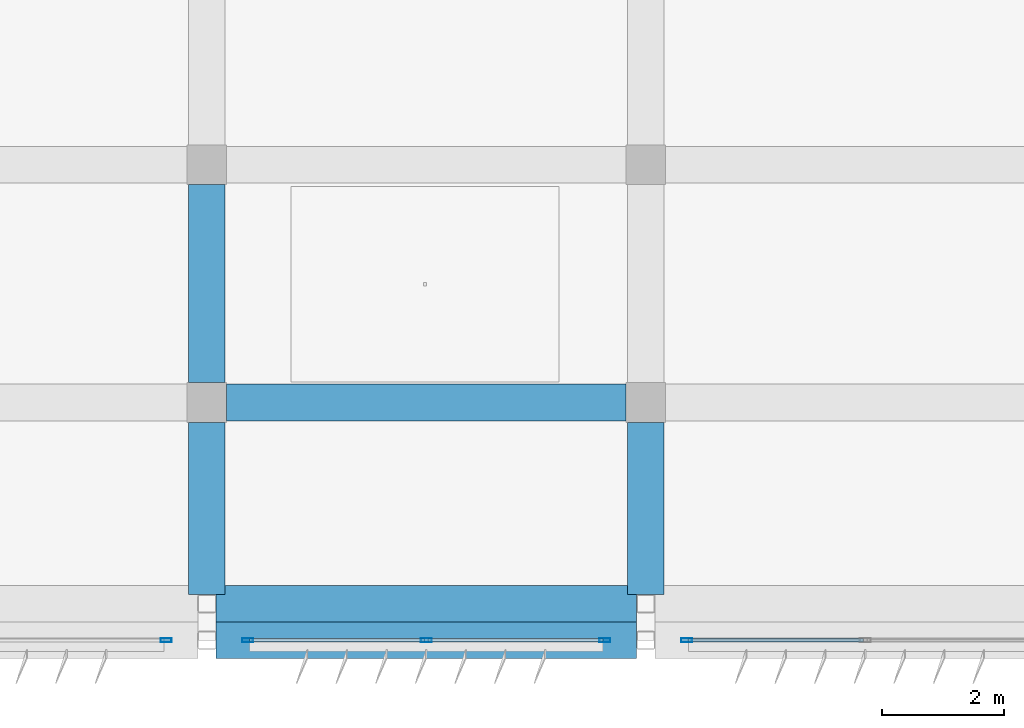
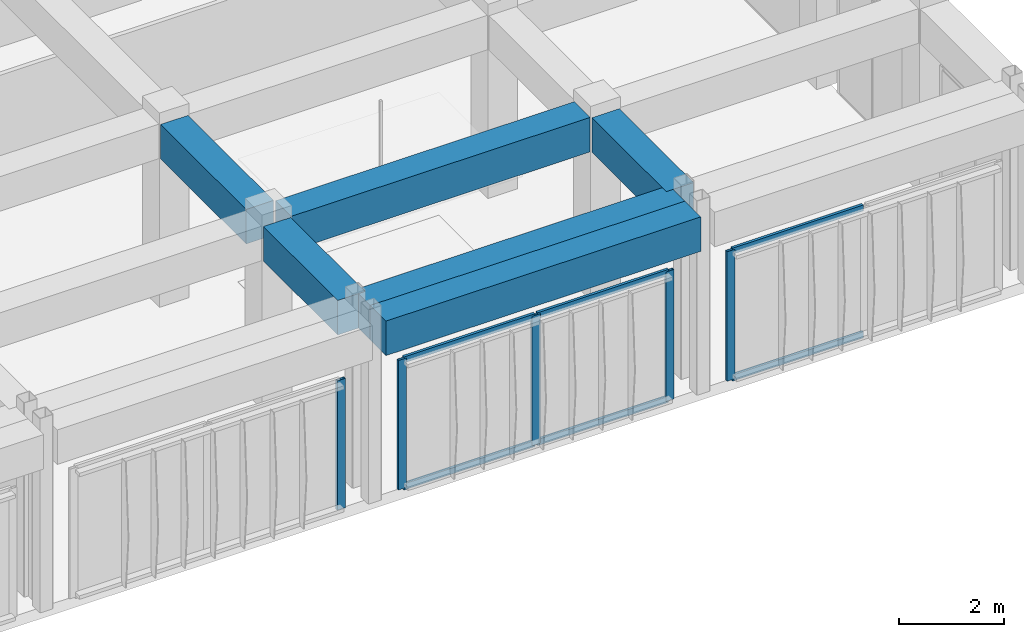
# One storey, part 21 of 56: 11 members, 6 beams, 3 elements without a shape of their own.
"""IFC4 building model written with IfcOpenShell, lengths in metres."""

from ifc_helpers import new_model, si_unit, direction, frame, origin, origin_2d, place, context, subcontext, project, spatial, rectangle, hollow_rectangle, extrude, material, material_profile, profile_set, type_object, element, aggregate, save


model = new_model("IFC4")

# Units and contexts
model_context = context("Model", 3, precision=1e-05, world=origin(), true_north=direction((0.0, 1.0)))
body_context = subcontext(model_context, "Body", "Model", "MODEL_VIEW")
ifc_project = project(units=[si_unit("LENGTHUNIT", "METRE"), si_unit("AREAUNIT", "SQUARE_METRE"), si_unit("VOLUMEUNIT", "CUBIC_METRE"), si_unit("PLANEANGLEUNIT", "RADIAN"), si_unit("MASSUNIT", "GRAM", prefix="KILO")], contexts=[model_context])

# Site, building, storey
site_placement = place(None, origin())
site = spatial("IfcSite", under=ifc_project, at=site_placement, CompositionType="ELEMENT")
building_placement = place(site_placement, origin())
building = spatial("IfcBuilding", under=site, at=building_placement, Name="Kazehaya Institute of Natural Sciences", CompositionType="ELEMENT")
storey_placement = place(building_placement, frame((0.0, 0.0, 28.800048828125)))
storey = spatial("IfcBuildingStorey", under=building, at=storey_placement, Name="L06", CompositionType="ELEMENT", Elevation=28.800048828125)

# Beams
ifc_material_1 = material(Name="Concrete Fc36", Category="concrete")
ifc_material_profile_1 = material_profile(ifc_material_1, rectangle(XDim=0.60009765625, YDim=0.800048828125, at=origin_2d()), Name="RC-600x800")
ifc_profile_set_1 = profile_set([ifc_material_profile_1], Name="Concrete Fc36")
beam_type = type_object("IfcBeamType", Name="BM-G-600x800", PredefinedType="BEAM", material=ifc_profile_set_1)
for number, where, z_axis, x_axis, name in (
    (1, (105.14990234375, 6.199951171875, 3.829833984375), (1.0, 0.0, 0.0), (0.0, 1.0, 0.0), "L06 primary X girder BMX-L06-1050-62"),
    (2, (105.14990234375, 6.800048828125, 3.829833984375), (1.0, 0.0, 0.0), (0.0, 1.0, 0.0), "L06 primary X girder BMX-L06-1050-68"),
):
    element("IfcBeam", number, at=place(storey_placement, frame(where, z_axis=z_axis, x_axis=x_axis)), inside=storey, type_object=beam_type, Name=name, PredefinedType="BEAM", context=body_context, shape_type="SweptSolid", body=[
        extrude(rectangle(XDim=0.60009765625, YDim=0.800048828125, at=origin_2d()), origin(), (0.0, 0.0, 1.0), 6.900146484375),
    ])
beam_1_placement = place(storey_placement, frame((105.324951171875, 10.10009765625, 3.829833984375), z_axis=(1.0, 0.0, 0.0), x_axis=(0.0, 1.0, 0.0)))
element("IfcBeam", 3, at=beam_1_placement, inside=storey, type_object=beam_type, Name="L06 primary X girder BMX-L06-1050-101", PredefinedType="BEAM", context=body_context, shape_type="SweptSolid", body=[
    extrude(rectangle(XDim=0.60009765625, YDim=0.800048828125, at=origin_2d()), origin(), (0.0, 0.0, 1.0), 6.550048828125),
])
beam_2_placement = place(storey_placement, frame((105.0, 6.949951171875, 3.829833984375), z_axis=(0.0, 1.0, 0.0), x_axis=(-1.0, 0.0, 0.0)))
element("IfcBeam", 4, at=beam_2_placement, inside=storey, type_object=beam_type, Name="L06 primary Y girder BMY-L06-1050-68", PredefinedType="BEAM", context=body_context, shape_type="SweptSolid", body=[
    extrude(rectangle(XDim=0.60009765625, YDim=0.800048828125, at=origin_2d()), origin(), (0.0, 0.0, 1.0), 2.824951171875),
])
beam_3_placement = place(storey_placement, frame((105.0, 10.425048828125, 3.829833984375), z_axis=(0.0, 1.0, 0.0), x_axis=(-1.0, 0.0, 0.0)))
element("IfcBeam", 5, at=beam_3_placement, inside=storey, type_object=beam_type, Name="L06 primary Y girder BMY-L06-1050-101", PredefinedType="BEAM", context=body_context, shape_type="SweptSolid", body=[
    extrude(rectangle(XDim=0.60009765625, YDim=0.800048828125, at=origin_2d()), origin(), (0.0, 0.0, 1.0), 3.25),
])
beam_4_placement = place(storey_placement, frame((112.199951171875, 6.949951171875, 3.829833984375), z_axis=(0.0, 1.0, 0.0), x_axis=(-1.0, 0.0, 0.0)))
element("IfcBeam", 6, at=beam_4_placement, inside=storey, type_object=beam_type, Name="L06 primary Y girder BMY-L06-1122-68", PredefinedType="BEAM", context=body_context, shape_type="SweptSolid", body=[
    extrude(rectangle(XDim=0.60009765625, YDim=0.800048828125, at=origin_2d()), origin(), (0.0, 0.0, 1.0), 2.824951171875),
])

# Curtain wall, member
ifc_material_2 = material(Name="Aluminium alloy A6063S-T5", Category="aluminium")
curtain_wall_type = type_object("IfcCurtainWallType", Name="CW-SYS-04", PredefinedType="NOTDEFINED", material=ifc_material_2)
curtain_wall_1_placement = place(storey_placement, origin())
curtain_wall_1 = element("IfcCurtainWall", 7, at=curtain_wall_1_placement, inside=storey, type_object=curtain_wall_type, Name="L06 unitised curtain wall CW-L06-120", PredefinedType="NOTDEFINED")
ifc_material_profile_2 = material_profile(ifc_material_2, hollow_rectangle(XDim=0.06005859375, YDim=0.179931640625, WallThickness=0.00390625, at=origin_2d()), Name="ALU-60x180x4")
ifc_profile_set_2 = profile_set([ifc_material_profile_2], Name="Aluminium alloy A6063S-T5")
member_type_1 = type_object("IfcMemberType", Name="CWM-180", PredefinedType="MULLION", material=ifc_profile_set_2)
member_1_placement = place(storey_placement, frame((112.8701171875, 6.199951171875, 0.0), z_axis=(0.0, 0.0, 1.0), x_axis=(0.0, -1.0, 0.0)))
member_1 = element("IfcMember", 8, at=member_1_placement, type_object=member_type_1, Name="CW04 mullion 3", PredefinedType="MULLION", context=body_context, shape_type="SweptSolid", body=[
    extrude(hollow_rectangle(XDim=0.06005859375, YDim=0.179931640625, WallThickness=0.00390625, at=origin_2d()), origin(), (0.0, 0.0, 1.0), 3.0),
])

# Curtain wall, members
curtain_wall_2_placement = place(storey_placement, origin())
curtain_wall_2 = element("IfcCurtainWall", 9, at=curtain_wall_2_placement, inside=storey, type_object=curtain_wall_type, Name="L06 unitised curtain wall CW-L06-121", PredefinedType="NOTDEFINED")
member_2_placement = place(storey_placement, frame((111.530029296875, 6.199951171875, 0.0), z_axis=(0.0, 0.0, 1.0), x_axis=(0.0, -1.0, 0.0)))
member_2 = element("IfcMember", 10, at=member_2_placement, type_object=member_type_1, Name="CW04 mullion 1", PredefinedType="MULLION", context=body_context, shape_type="SweptSolid", body=[
    extrude(hollow_rectangle(XDim=0.06005859375, YDim=0.179931640625, WallThickness=0.00390625, at=origin_2d()), origin(), (0.0, 0.0, 1.0), 3.0),
])
member_3_placement = place(storey_placement, frame((108.60009765625, 6.199951171875, 0.0), z_axis=(0.0, 0.0, 1.0), x_axis=(0.0, -1.0, 0.0)))
member_3 = element("IfcMember", 11, at=member_3_placement, type_object=member_type_1, Name="CW04 mullion 2", PredefinedType="MULLION", context=body_context, shape_type="SweptSolid", body=[
    extrude(hollow_rectangle(XDim=0.06005859375, YDim=0.179931640625, WallThickness=0.00390625, at=origin_2d()), origin(), (0.0, 0.0, 1.0), 3.0),
])
member_4_placement = place(storey_placement, frame((105.669921875, 6.199951171875, 0.0), z_axis=(0.0, 0.0, 1.0), x_axis=(0.0, -1.0, 0.0)))
member_4 = element("IfcMember", 12, at=member_4_placement, type_object=member_type_1, Name="CW04 mullion 3", PredefinedType="MULLION", context=body_context, shape_type="SweptSolid", body=[
    extrude(hollow_rectangle(XDim=0.06005859375, YDim=0.179931640625, WallThickness=0.00390625, at=origin_2d()), origin(), (0.0, 0.0, 1.0), 3.0),
])

# Curtain wall, member
curtain_wall_3_placement = place(storey_placement, origin())
curtain_wall_3 = element("IfcCurtainWall", 13, at=curtain_wall_3_placement, inside=storey, type_object=curtain_wall_type, Name="L06 unitised curtain wall CW-L06-122", PredefinedType="NOTDEFINED")
member_5_placement = place(storey_placement, frame((104.330078125, 6.199951171875, 0.0), z_axis=(0.0, 0.0, 1.0), x_axis=(0.0, -1.0, 0.0)))
member_5 = element("IfcMember", 14, at=member_5_placement, type_object=member_type_1, Name="CW04 mullion 1", PredefinedType="MULLION", context=body_context, shape_type="SweptSolid", body=[
    extrude(hollow_rectangle(XDim=0.06005859375, YDim=0.179931640625, WallThickness=0.00390625, at=origin_2d()), origin(), (0.0, 0.0, 1.0), 3.0),
])
aggregate(curtain_wall_3, [member_5])

# Member
ifc_material_profile_3 = material_profile(ifc_material_2, hollow_rectangle(XDim=0.06005859375, YDim=0.139892578125, WallThickness=0.00341796875, at=origin_2d()), Name="ALU-60x140x3.5")
ifc_profile_set_3 = profile_set([ifc_material_profile_3], Name="Aluminium alloy A6063S-T5")
member_type_2 = type_object("IfcMemberType", Name="CWT-140", PredefinedType="USERDEFINED", material=ifc_profile_set_3)
member_6_placement = place(storey_placement, frame((115.77001953125, 6.199951171875, 0.030029296875), z_axis=(-1.0, 0.0, 0.0), x_axis=(0.0, -1.0, 0.0)))
member_6 = element("IfcMember", 15, at=member_6_placement, type_object=member_type_2, Name="CW04 transom 2.1", ObjectType="TRANSOM", PredefinedType="USERDEFINED", context=body_context, shape_type="SweptSolid", body=[
    extrude(hollow_rectangle(XDim=0.06005859375, YDim=0.139892578125, WallThickness=0.00341796875, at=origin_2d()), origin(), (0.0, 0.0, 1.0), 2.8701171875),
])

member_7_placement = place(storey_placement, frame((115.77001953125, 6.199951171875, 2.969970703125), z_axis=(-1.0, 0.0, 0.0), x_axis=(0.0, -1.0, 0.0)))
member_7 = element("IfcMember", 16, at=member_7_placement, type_object=member_type_2, Name="CW04 transom 2.2", ObjectType="TRANSOM", PredefinedType="USERDEFINED", context=body_context, shape_type="SweptSolid", body=[
    extrude(hollow_rectangle(XDim=0.06005859375, YDim=0.139892578125, WallThickness=0.00341796875, at=origin_2d()), origin(), (0.0, 0.0, 1.0), 2.8701171875),
])

aggregate(curtain_wall_1, [member_1, member_6, member_7])

member_8_placement = place(storey_placement, frame((111.5, 6.199951171875, 0.030029296875), z_axis=(-1.0, 0.0, 0.0), x_axis=(0.0, -1.0, 0.0)))
member_8 = element("IfcMember", 17, at=member_8_placement, type_object=member_type_2, Name="CW04 transom 1.1", ObjectType="TRANSOM", PredefinedType="USERDEFINED", context=body_context, shape_type="SweptSolid", body=[
    extrude(hollow_rectangle(XDim=0.06005859375, YDim=0.139892578125, WallThickness=0.00341796875, at=origin_2d()), origin(), (0.0, 0.0, 1.0), 2.8701171875),
])

member_9_placement = place(storey_placement, frame((111.5, 6.199951171875, 2.969970703125), z_axis=(-1.0, 0.0, 0.0), x_axis=(0.0, -1.0, 0.0)))
member_9 = element("IfcMember", 18, at=member_9_placement, type_object=member_type_2, Name="CW04 transom 1.2", ObjectType="TRANSOM", PredefinedType="USERDEFINED", context=body_context, shape_type="SweptSolid", body=[
    extrude(hollow_rectangle(XDim=0.06005859375, YDim=0.139892578125, WallThickness=0.00341796875, at=origin_2d()), origin(), (0.0, 0.0, 1.0), 2.8701171875),
])

member_10_placement = place(storey_placement, frame((108.570068359375, 6.199951171875, 0.030029296875), z_axis=(-1.0, 0.0, 0.0), x_axis=(0.0, -1.0, 0.0)))
member_10 = element("IfcMember", 19, at=member_10_placement, type_object=member_type_2, Name="CW04 transom 2.1", ObjectType="TRANSOM", PredefinedType="USERDEFINED", context=body_context, shape_type="SweptSolid", body=[
    extrude(hollow_rectangle(XDim=0.06005859375, YDim=0.139892578125, WallThickness=0.00341796875, at=origin_2d()), origin(), (0.0, 0.0, 1.0), 2.8701171875),
])

member_11_placement = place(storey_placement, frame((108.570068359375, 6.199951171875, 2.969970703125), z_axis=(-1.0, 0.0, 0.0), x_axis=(0.0, -1.0, 0.0)))
member_11 = element("IfcMember", 20, at=member_11_placement, type_object=member_type_2, Name="CW04 transom 2.2", ObjectType="TRANSOM", PredefinedType="USERDEFINED", context=body_context, shape_type="SweptSolid", body=[
    extrude(hollow_rectangle(XDim=0.06005859375, YDim=0.139892578125, WallThickness=0.00341796875, at=origin_2d()), origin(), (0.0, 0.0, 1.0), 2.8701171875),
])

aggregate(curtain_wall_2, [member_2, member_3, member_4, member_8, member_9, member_10, member_11])

save(model, "model.ifc")
